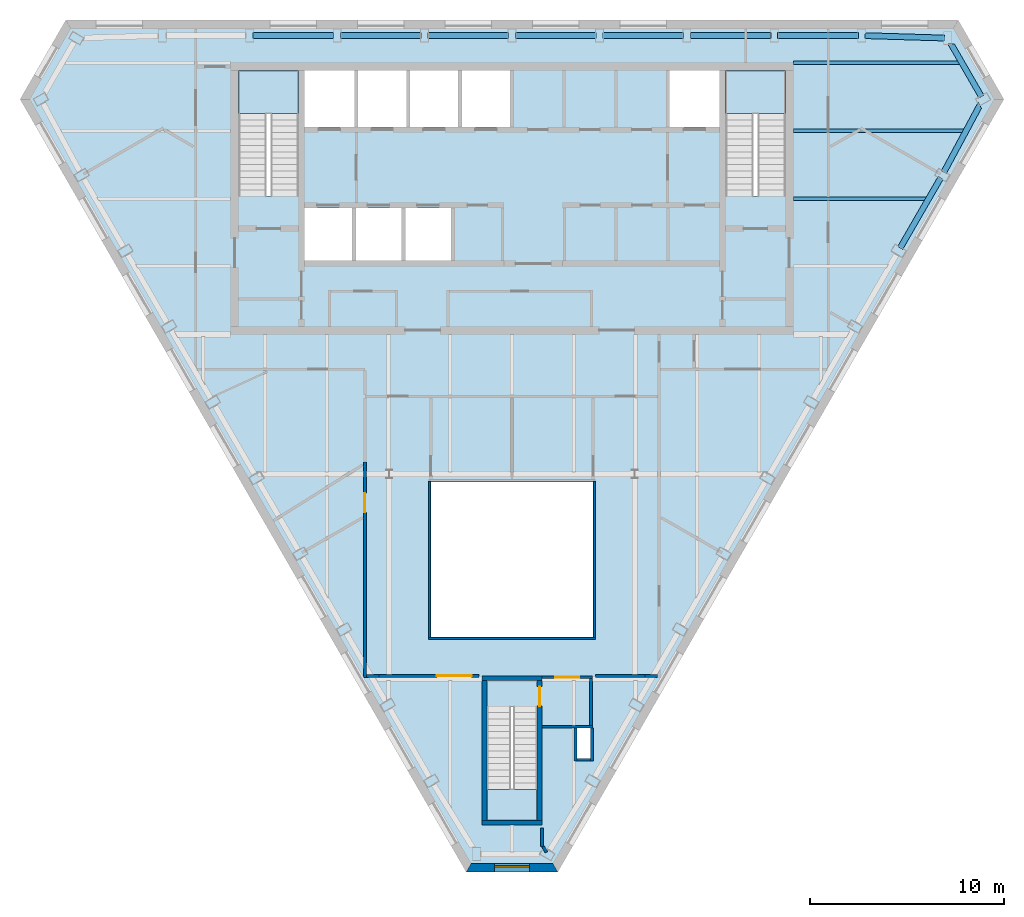
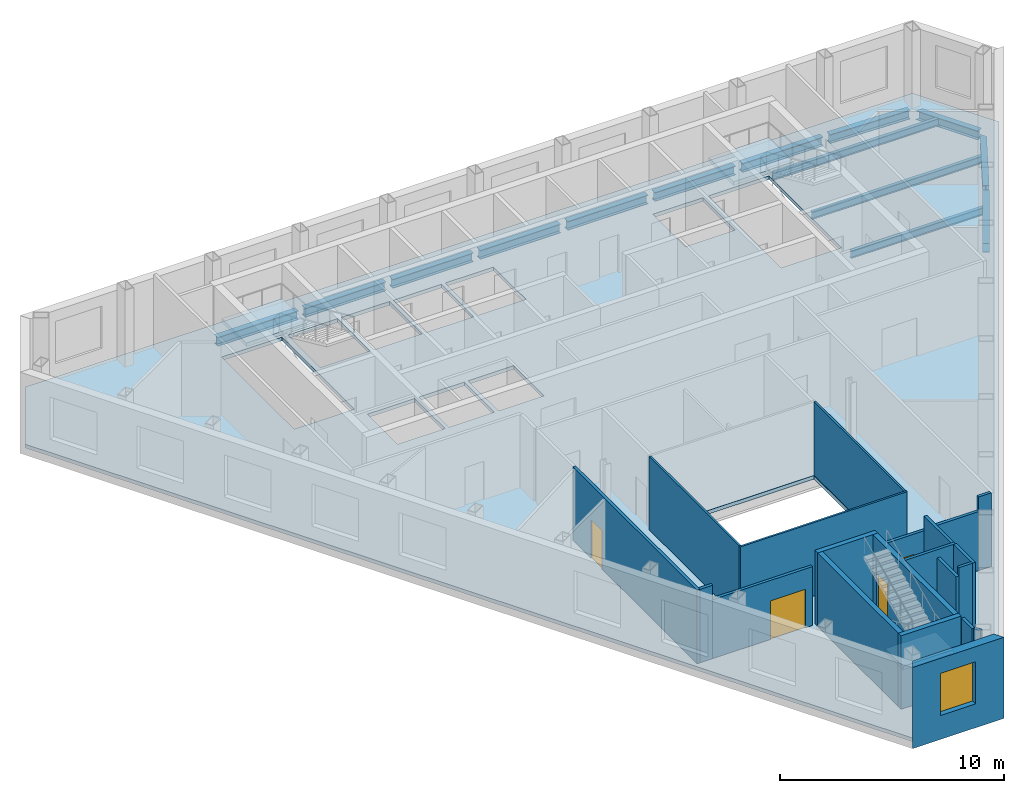
# One storey, part 3 of 10: 21 walls, 14 beams, 4 doors, 4 slabs, 1 window, 5 openings, 3 elements without a shape of their own.
"""IFC4 building model written with IfcOpenShell, lengths in metres."""

from ifc_helpers import new_model, si_unit, direction, frame, frame_2d, origin, origin_2d, place, context, subcontext, project, spatial, polyline, rectangle, i_section, outline, extrude, clip, halfspace, material, layer, layer_set, material_profile, profile_set, type_object, element, fill, aggregate, save


model = new_model("IFC4")

# Units and contexts
model_context = context("Model", 3, precision=1e-05, world=origin(), true_north=direction((0.0, 1.0)))
body_context = subcontext(model_context, "Body", "Model", "MODEL_VIEW")
ifc_project = project(units=[si_unit("LENGTHUNIT", "METRE"), si_unit("AREAUNIT", "SQUARE_METRE"), si_unit("VOLUMEUNIT", "CUBIC_METRE"), si_unit("PLANEANGLEUNIT", "RADIAN"), si_unit("MASSUNIT", "GRAM", prefix="KILO")], contexts=[model_context])

# Site, building, storey
site_placement = place(None, origin())
site = spatial("IfcSite", under=ifc_project, at=site_placement, CompositionType="ELEMENT")
building_placement = place(site_placement, origin())
building = spatial("IfcBuilding", under=site, at=building_placement, Name="Njiva Tower", CompositionType="ELEMENT")
storey_placement = place(building_placement, frame((0.0, 0.0, 308.4)))
storey = spatial("IfcBuildingStorey", under=building, at=storey_placement, Name="L70", CompositionType="ELEMENT", Elevation=308.4)

# Beams
ifc_material_1 = material(Name="Steel S355 J2", Category="steel")
ifc_material_profile_1 = material_profile(ifc_material_1, i_section(OverallWidth=0.3, OverallDepth=0.49, WebThickness=0.012, FlangeThickness=0.023, at=origin_2d()), Name="HEA 500")
ifc_profile_set_1 = profile_set([ifc_material_profile_1], Name="Steel S355 J2")
beam_type_1 = type_object("IfcBeamType", Name="B48 Short-span spandrel beam HEA 500", PredefinedType="SPANDREL", material=ifc_profile_set_1)
beam_1_placement = place(storey_placement, frame((22.277, 19.272, -0.445), z_axis=(-0.999544102072, 0.030192515853, 0.0), x_axis=(-0.030192515853, -0.999544102072, 0.0)))
element("IfcBeam", 1, at=beam_1_placement, inside=storey, type_object=beam_type_1, Name="Short-span spandrel beam S23-B115", PredefinedType="SPANDREL", context=body_context, shape_type="SweptSolid", body=[
    extrude(i_section(OverallWidth=0.3, OverallDepth=0.49, WebThickness=0.012, FlangeThickness=0.023, at=origin_2d()), origin(), (0.0, 0.0, 1.0), 4.0739),
])
beam_2_placement = place(storey_placement, frame((17.851, 19.4, -0.445), z_axis=(-1.0, 0.0, 0.0), x_axis=(0.0, -1.0, 0.0)))
element("IfcBeam", 2, at=beam_2_placement, inside=storey, type_object=beam_type_1, Name="Short-span spandrel beam S23-B109", PredefinedType="SPANDREL", context=body_context, shape_type="SweptSolid", body=[
    extrude(i_section(OverallWidth=0.3, OverallDepth=0.49, WebThickness=0.012, FlangeThickness=0.023, at=origin_2d()), origin(), (0.0, 0.0, 1.0), 4.156),
])
beam_3_placement = place(storey_placement, frame((13.345, 19.4, -0.445), z_axis=(-1.0, 0.0, 0.0), x_axis=(0.0, -1.0, 0.0)))
element("IfcBeam", 3, at=beam_3_placement, inside=storey, type_object=beam_type_1, Name="Short-span spandrel beam S23-B104", PredefinedType="SPANDREL", context=body_context, shape_type="SweptSolid", body=[
    extrude(i_section(OverallWidth=0.3, OverallDepth=0.49, WebThickness=0.012, FlangeThickness=0.023, at=origin_2d()), origin(), (0.0, 0.0, 1.0), 4.157),
])
beam_4_placement = place(storey_placement, frame((8.838, 19.4, -0.445), z_axis=(-1.0, 0.0, 0.0), x_axis=(0.0, -1.0, 0.0)))
element("IfcBeam", 4, at=beam_4_placement, inside=storey, type_object=beam_type_1, Name="Short-span spandrel beam S23-B099", PredefinedType="SPANDREL", context=body_context, shape_type="SweptSolid", body=[
    extrude(i_section(OverallWidth=0.3, OverallDepth=0.49, WebThickness=0.012, FlangeThickness=0.023, at=origin_2d()), origin(), (0.0, 0.0, 1.0), 4.156),
])
for number, where, z_axis, x_axis, name in (
    (5, (4.332, 19.4, -0.445), (-1.0, 0.0, 0.0), (0.0, -1.0, 0.0), "Short-span spandrel beam S23-B094"),
    (6, (-0.175, 19.4, -0.445), (-1.0, 0.0, 0.0), (0.0, -1.0, 0.0), "Short-span spandrel beam S23-B089"),
):
    element("IfcBeam", number, at=place(storey_placement, frame(where, z_axis=z_axis, x_axis=x_axis)), inside=storey, type_object=beam_type_1, Name=name, PredefinedType="SPANDREL", context=body_context, shape_type="SweptSolid", body=[
        extrude(i_section(OverallWidth=0.3, OverallDepth=0.49, WebThickness=0.012, FlangeThickness=0.023, at=origin_2d()), origin(), (0.0, 0.0, 1.0), 4.157),
    ])
beam_5_placement = place(storey_placement, frame((-4.682, 19.4, -0.445), z_axis=(-1.0, 0.0, 0.0), x_axis=(0.0, -1.0, 0.0)))
element("IfcBeam", 7, at=beam_5_placement, inside=storey, type_object=beam_type_1, Name="Short-span spandrel beam S23-B084", PredefinedType="SPANDREL", context=body_context, shape_type="SweptSolid", body=[
    extrude(i_section(OverallWidth=0.3, OverallDepth=0.49, WebThickness=0.012, FlangeThickness=0.023, at=origin_2d()), origin(), (0.0, 0.0, 1.0), 4.156),
])
beam_6_placement = place(storey_placement, frame((-9.188, 19.4, -0.445), z_axis=(-1.0, 0.0, 0.0), x_axis=(0.0, -1.0, 0.0)))
element("IfcBeam", 8, at=beam_6_placement, inside=storey, type_object=beam_type_1, Name="Short-span spandrel beam S23-B079", PredefinedType="SPANDREL", context=body_context, shape_type="SweptSolid", body=[
    extrude(i_section(OverallWidth=0.3, OverallDepth=0.49, WebThickness=0.012, FlangeThickness=0.023, at=origin_2d()), origin(), (0.0, 0.0, 1.0), 4.157),
])
beam_7_placement = place(storey_placement, frame((20.012, 8.459, -0.445), z_axis=(0.500201435056, 0.865909073961, 0.0), x_axis=(-0.865909073961, 0.500201435056, 0.0)))
element("IfcBeam", 9, at=beam_7_placement, inside=storey, type_object=beam_type_1, Name="Short-span spandrel beam S23-B118", PredefinedType="SPANDREL", context=body_context, shape_type="SweptSolid", body=[
    extrude(i_section(OverallWidth=0.3, OverallDepth=0.49, WebThickness=0.012, FlangeThickness=0.023, at=origin_2d()), origin(), (0.0, 0.0, 1.0), 4.1563),
])
beam_8_placement = place(storey_placement, frame((22.263, 12.367, -0.445), z_axis=(0.473778736284, 0.880643917282, 0.0), x_axis=(-0.880643917282, 0.473778736284, 0.0)))
element("IfcBeam", 10, at=beam_8_placement, inside=storey, type_object=beam_type_1, Name="Short-span spandrel beam S23-B120", PredefinedType="SPANDREL", context=body_context, shape_type="Clipping", body=[
    clip(extrude(i_section(OverallWidth=0.3, OverallDepth=0.49, WebThickness=0.012, FlangeThickness=0.023, at=origin_2d()), origin(), (0.0, 0.0, 1.0), 4.0136), halfspace(frame((-0.0259, 0.0, 3.8841), z_axis=(-0.525772590734, 0.0, 0.850625171761), x_axis=(0.0, 1.0, 0.0)), False)),
])
beam_9_placement = place(storey_placement, frame((24.19, 16.263, -0.445), z_axis=(-0.499962735845, 0.866046917185, 0.0), x_axis=(-0.866046917185, -0.499962735845, 0.0)))
element("IfcBeam", 11, at=beam_9_placement, inside=storey, type_object=beam_type_1, Name="Short-span spandrel beam S23-B121", PredefinedType="SPANDREL", context=body_context, shape_type="Clipping", body=[
    clip(extrude(i_section(OverallWidth=0.3, OverallDepth=0.49, WebThickness=0.012, FlangeThickness=0.023, at=origin_2d()), origin(), (0.0, 0.0, 1.0), 3.2292), halfspace(frame((-0.0254, 0.0, 3.1076), z_axis=(-0.499962735845, 0.0, 0.866046917185), x_axis=(0.0, 1.0, 0.0)), False)),
])
ifc_material_profile_2 = material_profile(ifc_material_1, i_section(OverallWidth=0.18, OverallDepth=0.4, WebThickness=0.0086, FlangeThickness=0.0135, at=origin_2d()), Name="IPE 400")
ifc_profile_set_2 = profile_set([ifc_material_profile_2], Name="Steel S355 J2")
beam_type_2 = type_object("IfcBeamType", Name="B51 Floor beam to the core IPE 400", PredefinedType="BEAM", material=ifc_profile_set_2)
beam_10_placement = place(storey_placement, frame((14.5, 11.0, -0.4), z_axis=(1.0, 0.0, 0.0), x_axis=(0.0, 1.0, 0.0)))
element("IfcBeam", 12, at=beam_10_placement, inside=storey, type_object=beam_type_2, Name="Floor beam to the core S23-B006", PredefinedType="BEAM", context=body_context, shape_type="Clipping", body=[
    clip(extrude(i_section(OverallWidth=0.18, OverallDepth=0.4, WebThickness=0.0086, FlangeThickness=0.0135, at=origin_2d()), origin(), (0.0, 0.0, 1.0), 6.936), halfspace(frame((-0.025, 0.0, 6.8497), z_axis=(-0.499998009787, 0.0, 0.866026552831), x_axis=(0.0, 1.0, 0.0)), False)),
])
beam_11_placement = place(storey_placement, frame((14.5, 14.5, -0.4), z_axis=(1.0, 0.0, 0.0), x_axis=(0.0, 1.0, 0.0)))
element("IfcBeam", 13, at=beam_11_placement, inside=storey, type_object=beam_type_2, Name="Floor beam to the core S23-B007", PredefinedType="BEAM", context=body_context, shape_type="Clipping", body=[
    clip(extrude(i_section(OverallWidth=0.18, OverallDepth=0.4, WebThickness=0.0086, FlangeThickness=0.0135, at=origin_2d()), origin(), (0.0, 0.0, 1.0), 8.865), halfspace(frame((-0.0237, 0.0, 8.7838), z_axis=(-0.47376166762, 0.0, 0.88065309986), x_axis=(0.0, 1.0, 0.0)), False)),
])
beam_12_placement = place(storey_placement, frame((14.5, 18.0, -0.4), z_axis=(1.0, 0.0, 0.0), x_axis=(0.0, 1.0, 0.0)))
element("IfcBeam", 14, at=beam_12_placement, inside=storey, type_object=beam_type_2, Name="Floor beam to the core S23-B008", PredefinedType="BEAM", context=body_context, shape_type="Clipping", body=[
    clip(extrude(i_section(OverallWidth=0.18, OverallDepth=0.4, WebThickness=0.0086, FlangeThickness=0.0135, at=origin_2d()), origin(), (0.0, 0.0, 1.0), 8.644), halfspace(frame((0.025, 0.0, 8.5578), z_axis=(0.499998009787, 0.0, 0.866026552831), x_axis=(0.0, 1.0, 0.0)), False)),
])

# Stair, slab
ifc_material_2 = material(Name="Concrete C40/50", Category="concrete")
stair_type_1 = type_object("IfcStairType", Name="ST3 Exit stair 1450", PredefinedType="HALF_TURN_STAIR", material=ifc_material_2)
stair_1_placement = place(storey_placement, origin())
stair_1 = element("IfcStair", 15, at=stair_1_placement, inside=storey, type_object=stair_type_1, Name="Stair A", PredefinedType="HALF_TURN_STAIR")
ifc_layer_1 = layer(ifc_material_2, 0.2)
ifc_layer_set_1 = layer_set([ifc_layer_1], Name="Concrete C40/50")
slab_type_1 = type_object("IfcSlabType", Name="FL9 Stair landing 200", PredefinedType="LANDING", material=ifc_layer_set_1)
slab_1_placement = place(storey_placement, frame((0.0, 0.0, 1.9)))
slab_1 = element("IfcSlab", 16, at=slab_1_placement, type_object=slab_type_1, Name="ST-A landing 1", PredefinedType="LANDING", context=body_context, shape_type="SweptSolid", body=[
    extrude(outline(polyline([(-14.106, 15.39), (-10.994, 15.39), (-10.994, 17.6), (-14.106, 17.6), (-14.106, 15.39)])), origin(), (0.0, 0.0, 1.0), 0.2),
])
aggregate(stair_1, [slab_1])

stair_2_placement = place(storey_placement, origin())
stair_2 = element("IfcStair", 17, at=stair_2_placement, inside=storey, type_object=stair_type_1, Name="Stair B", PredefinedType="HALF_TURN_STAIR")
slab_2_placement = place(storey_placement, frame((0.0, 0.0, 1.9)))
slab_2 = element("IfcSlab", 18, at=slab_2_placement, type_object=slab_type_1, Name="ST-B landing 1", PredefinedType="LANDING", context=body_context, shape_type="SweptSolid", body=[
    extrude(outline(polyline([(10.994, 15.39), (14.106, 15.39), (14.106, 17.6), (10.994, 17.6), (10.994, 15.39)])), origin(), (0.0, 0.0, 1.0), 0.2),
])
aggregate(stair_2, [slab_2])

stair_type_2 = type_object("IfcStairType", Name="ST1 Exit stair 1250", PredefinedType="HALF_TURN_STAIR", material=ifc_material_2)
stair_3_placement = place(storey_placement, origin())
stair_3 = element("IfcStair", 19, at=stair_3_placement, inside=storey, type_object=stair_type_2, Name="Stair C", PredefinedType="HALF_TURN_STAIR")
slab_3_placement = place(storey_placement, frame((0.0, 0.0, 1.9)))
slab_3 = element("IfcSlab", 20, at=slab_3_placement, type_object=slab_type_1, Name="ST-C landing 1", PredefinedType="LANDING", context=body_context, shape_type="SweptSolid", body=[
    extrude(outline(polyline([(-1.306, -21.05), (1.306, -21.05), (1.306, -19.45), (-1.306, -19.45), (-1.306, -21.05)])), origin(), (0.0, 0.0, 1.0), 0.2),
])
aggregate(stair_3, [slab_3])

# Slab
ifc_material_3 = material(Name="Concrete C30/37", Category="concrete")
ifc_layer_2 = layer(ifc_material_3, 0.2)
ifc_layer_set_2 = layer_set([ifc_layer_2], Name="Concrete C30/37")
slab_type_2 = type_object("IfcSlabType", Name="SL16 Composite floor slab 200", PredefinedType="FLOOR", material=ifc_layer_set_2)
slab_4_placement = place(storey_placement, frame((0.0, 0.0, -0.2)))
element("IfcSlab", 21, at=slab_4_placement, inside=storey, type_object=slab_type_2, Name="Floor slab L70", PredefinedType="FLOOR", context=body_context, shape_type="SweptSolid", body=[
    extrude(outline(polyline([(25.0952, 16.1124), (2.2301, -23.4911), (-2.2301, -23.4911), (-25.0952, 16.1124), (-22.8651, 19.975), (22.8651, 19.975), (25.0952, 16.1124)]), holes=[polyline([(10.994, 11.13), (14.106, 11.13), (14.106, 17.6), (10.994, 17.6), (10.994, 11.13)]), polyline([(8.125, 14.7), (10.7, 14.7), (10.7, 17.6), (8.125, 17.6), (8.125, 14.7)]), polyline([(4.18, -11.6), (4.18, -3.6), (-4.18, -3.6), (-4.18, -11.6), (4.18, -11.6)]), polyline([(3.35, -17.85), (4.05, -17.85), (4.05, -16.3), (3.35, -16.3), (3.35, -17.85)]), polyline([(-1.306, -21.05), (1.306, -21.05), (1.306, -15.19), (-1.306, -15.19), (-1.306, -21.05)]), polyline([(-2.575, 14.7), (-0.1, 14.7), (-0.1, 17.6), (-2.575, 17.6), (-2.575, 14.7)]), polyline([(-2.775, 14.7), (-2.775, 17.6), (-5.25, 17.6), (-5.25, 14.7), (-2.775, 14.7)]), polyline([(-5.5, 7.8), (-3.15, 7.8), (-3.15, 10.5), (-5.5, 10.5), (-5.5, 7.8)]), polyline([(-7.925, 14.7), (-5.45, 14.7), (-5.45, 17.6), (-7.925, 17.6), (-7.925, 14.7)]), polyline([(-8.05, 7.8), (-5.7, 7.8), (-5.7, 10.5), (-8.05, 10.5), (-8.05, 7.8)]), polyline([(-10.7, 14.7), (-8.125, 14.7), (-8.125, 17.6), (-10.7, 17.6), (-10.7, 14.7)]), polyline([(-8.25, 7.8), (-8.25, 10.5), (-10.7, 10.5), (-10.7, 7.8), (-8.25, 7.8)]), polyline([(-10.994, 11.13), (-10.994, 17.6), (-14.106, 17.6), (-14.106, 11.13), (-10.994, 11.13)])]), origin(), (0.0, 0.0, 1.0), 0.2),
])

# Wall, opening, door
ifc_material_4 = material(Name="Gypsum board on steel studs", Category="gypsum")
ifc_layer_3 = layer(ifc_material_4, 0.15)
ifc_layer_set_3 = layer_set([ifc_layer_3], Name="Gypsum board on steel studs")
wall_type_1 = type_object("IfcWallType", Name="WT21 Compartment wall 150", PredefinedType="PARTITIONING", material=ifc_layer_set_3)
wall_1_placement = place(storey_placement, frame((-7.58, -13.675, 0.0), z_axis=(0.0, 0.0, 1.0), x_axis=(0.0, 1.0, 0.0)))
wall_1 = element("IfcWall", 22, at=wall_1_placement, inside=storey, type_object=wall_type_1, Name="Partition S23-P009", PredefinedType="PARTITIONING", context=body_context, shape_type="SweptSolid", body=[
    extrude(rectangle(XDim=11.093, YDim=0.15, at=frame_2d((5.5465, 0.0))), origin(), (0.0, 0.0, 1.0), 4.0),
])
opening_1_placement = place(wall_1_placement, frame((8.493, 0.0, 0.0)))
opening_1 = element("IfcOpeningElement", 23, at=opening_1_placement, cuts=wall_1, Name="Opening S23-D005", PredefinedType="OPENING", context=body_context, shape_type="SweptSolid", body=[
    extrude(rectangle(XDim=1.0, YDim=2.1, at=frame_2d((0.5, 1.05))), frame((0.0, 0.085, 0.0), z_axis=(0.0, -1.0, 0.0), x_axis=(1.0, 0.0, 0.0)), (0.0, 0.0, 1.0), 0.17),
])
ifc_material_5 = material(Name="Steel fire door set", Category="steel")
door_type_1 = type_object("IfcDoorType", Name="D37 Fire door 1000x2100", OperationType="SINGLE_SWING_LEFT", PredefinedType="DOOR", material=ifc_material_5)
door_1_placement = place(opening_1_placement, origin())
door_1 = element("IfcDoor", 24, at=door_1_placement, inside=storey, type_object=door_type_1, Name="Door S23-D005", OperationType="SINGLE_SWING_LEFT", OverallHeight=2.1, OverallWidth=1.0, PredefinedType="DOOR", context=body_context, shape_type="SweptSolid", body=[
    extrude(rectangle(XDim=1.0, YDim=2.1, at=frame_2d((0.5, 1.05))), frame((0.0, 0.025, 0.0), z_axis=(0.0, -1.0, 0.0), x_axis=(1.0, 0.0, 0.0)), (0.0, 0.0, 1.0), 0.05),
])
fill(opening_1, door_1)

# Wall
wall_2_placement = place(storey_placement, frame((-7.505, -13.6, 0.0), z_axis=(0.0, 0.0, 1.0), x_axis=(1.0, 0.0, 0.0)))
element("IfcWall", 25, at=wall_2_placement, inside=storey, type_object=wall_type_1, Name="Partition S23-P013", PredefinedType="PARTITIONING", context=body_context, shape_type="SweptSolid", body=[
    extrude(rectangle(XDim=0.65, YDim=0.15, at=frame_2d((0.325, 0.0))), origin(), (0.0, 0.0, 1.0), 4.0),
])

# Wall, opening, door
wall_3_placement = place(storey_placement, frame((-6.855, -13.6, 0.0), z_axis=(0.0, 0.0, 1.0), x_axis=(1.0, 0.0, 0.0)))
wall_3 = element("IfcWall", 26, at=wall_3_placement, inside=storey, type_object=wall_type_1, Name="Partition S23-P013A", PredefinedType="PARTITIONING", context=body_context, shape_type="SweptSolid", body=[
    extrude(rectangle(XDim=5.155, YDim=0.15, at=frame_2d((2.5775, 0.0))), origin(), (0.0, 0.0, 1.0), 3.21),
])
opening_2_placement = place(wall_3_placement, frame((2.98, 0.0, 0.0)))
opening_2 = element("IfcOpeningElement", 27, at=opening_2_placement, cuts=wall_3, Name="Opening S23-D008", PredefinedType="OPENING", context=body_context, shape_type="SweptSolid", body=[
    extrude(rectangle(XDim=1.8, YDim=2.1, at=frame_2d((0.9, 1.05))), frame((0.0, 0.085, 0.0), z_axis=(0.0, -1.0, 0.0), x_axis=(1.0, 0.0, 0.0)), (0.0, 0.0, 1.0), 0.17),
])
door_type_2 = type_object("IfcDoorType", Name="D38 Fire door 1800x2100", OperationType="DOUBLE_DOOR_SINGLE_SWING", PredefinedType="DOOR", material=ifc_material_5)
door_2_placement = place(opening_2_placement, origin())
door_2 = element("IfcDoor", 28, at=door_2_placement, inside=storey, type_object=door_type_2, Name="Door S23-D008", OperationType="DOUBLE_DOOR_SINGLE_SWING", OverallHeight=2.1, OverallWidth=1.8, PredefinedType="DOOR", context=body_context, shape_type="SweptSolid", body=[
    extrude(rectangle(XDim=1.8, YDim=2.1, at=frame_2d((0.9, 1.05))), frame((0.0, 0.025, 0.0), z_axis=(0.0, -1.0, 0.0), x_axis=(1.0, 0.0, 0.0)), (0.0, 0.0, 1.0), 0.05),
])
fill(opening_2, door_2)

# Walls
wall_4_placement = place(storey_placement, frame((1.55, -22.388, 0.0), z_axis=(0.0, 0.0, 1.0), x_axis=(0.0, 1.0, 0.0)))
element("IfcWall", 29, at=wall_4_placement, inside=storey, type_object=wall_type_1, Name="Partition S23-P016", PredefinedType="PARTITIONING", context=body_context, shape_type="SweptSolid", body=[
    extrude(rectangle(XDim=0.938, YDim=0.15, at=frame_2d((0.469, 0.0))), origin(), (0.0, 0.0, 1.0), 4.0),
])
wall_5_placement = place(storey_placement, frame((1.601, -22.402, 0.0), z_axis=(0.0, 0.0, 1.0), x_axis=(0.499298623879, -0.866429964967, 0.0)))
element("IfcWall", 30, at=wall_5_placement, inside=storey, type_object=wall_type_1, Name="Partition S23-P017", PredefinedType="PARTITIONING", context=body_context, shape_type="SweptSolid", body=[
    extrude(rectangle(XDim=0.3405, YDim=0.15, at=frame_2d((0.1703, 0.0))), origin(), (0.0, 0.0, 1.0), 4.0),
])
wall_6_placement = place(storey_placement, frame((4.3, -13.6, 0.0), z_axis=(0.0, 0.0, 1.0), x_axis=(1.0, 0.0, 0.0)))
element("IfcWall", 31, at=wall_6_placement, inside=storey, type_object=wall_type_1, Name="Partition S23-P019", PredefinedType="PARTITIONING", context=body_context, shape_type="SweptSolid", body=[
    extrude(rectangle(XDim=2.555, YDim=0.15, at=frame_2d((1.2775, 0.0))), origin(), (0.0, 0.0, 1.0), 3.21),
])
wall_7_placement = place(storey_placement, frame((6.855, -13.6, 0.0), z_axis=(0.0, 0.0, 1.0), x_axis=(1.0, 0.0, 0.0)))
element("IfcWall", 32, at=wall_7_placement, inside=storey, type_object=wall_type_1, Name="Partition S23-P019A", PredefinedType="PARTITIONING", context=body_context, shape_type="SweptSolid", body=[
    extrude(rectangle(XDim=0.65, YDim=0.15, at=frame_2d((0.325, 0.0))), origin(), (0.0, 0.0, 1.0), 4.0),
])
ifc_material_6 = material(Name="Blockwork", Category="masonry")
ifc_layer_4 = layer(ifc_material_6, 0.15)
ifc_layer_set_4 = layer_set([ifc_layer_4], Name="Blockwork")
wall_type_2 = type_object("IfcWallType", Name="WT4 Stair partition 150", PredefinedType="PARTITIONING", material=ifc_layer_set_4)
wall_8_placement = place(storey_placement, frame((1.55, -16.225, 0.0), z_axis=(0.0, 0.0, 1.0), x_axis=(1.0, 0.0, 0.0)))
element("IfcWall", 33, at=wall_8_placement, inside=storey, type_object=wall_type_2, Name="Stair C vestibule wall south", PredefinedType="PARTITIONING", context=body_context, shape_type="SweptSolid", body=[
    extrude(rectangle(XDim=2.6, YDim=0.15, at=frame_2d((1.3, 0.0))), origin(), (0.0, 0.0, 1.0), 4.0),
])
wall_9_placement = place(storey_placement, frame((4.075, -16.15, 0.0), z_axis=(0.0, 0.0, 1.0), x_axis=(0.0, 1.0, 0.0)))
element("IfcWall", 34, at=wall_9_placement, inside=storey, type_object=wall_type_2, Name="Stair C vestibule wall east", PredefinedType="PARTITIONING", context=body_context, shape_type="SweptSolid", body=[
    extrude(rectangle(XDim=2.4, YDim=0.15, at=frame_2d((1.2, 0.0))), origin(), (0.0, 0.0, 1.0), 4.0),
])

# Wall, opening, door
wall_10_placement = place(storey_placement, frame((1.55, -13.675, 0.0), z_axis=(0.0, 0.0, 1.0), x_axis=(1.0, 0.0, 0.0)))
wall_10 = element("IfcWall", 35, at=wall_10_placement, inside=storey, type_object=wall_type_2, Name="Stair C vestibule wall north", PredefinedType="PARTITIONING", context=body_context, shape_type="SweptSolid", body=[
    extrude(rectangle(XDim=2.6, YDim=0.15, at=frame_2d((1.3, 0.0))), origin(), (0.0, 0.0, 1.0), 3.21),
])
opening_3_placement = place(wall_10_placement, frame((0.675, 0.0, 0.0)))
opening_3 = element("IfcOpeningElement", 36, at=opening_3_placement, cuts=wall_10, Name="Opening S23-D932", PredefinedType="OPENING", context=body_context, shape_type="SweptSolid", body=[
    extrude(rectangle(XDim=1.25, YDim=2.1, at=frame_2d((0.625, 1.05))), frame((0.0, 0.085, 0.0), z_axis=(0.0, -1.0, 0.0), x_axis=(1.0, 0.0, 0.0)), (0.0, 0.0, 1.0), 0.17),
])
ifc_material_7 = material(Name="Glazed steel fire door", Category="steel")
door_type_3 = type_object("IfcDoorType", Name="D8 Vestibule corridor door 1250x2100 glazed", OperationType="SINGLE_SWING_LEFT", PredefinedType="DOOR", material=ifc_material_7)
door_3_placement = place(opening_3_placement, origin())
door_3 = element("IfcDoor", 37, at=door_3_placement, inside=storey, type_object=door_type_3, Name="Stair vestibule corridor door", OperationType="SINGLE_SWING_RIGHT", OverallHeight=2.1, OverallWidth=1.25, PredefinedType="DOOR", context=body_context, shape_type="SweptSolid", body=[
    extrude(rectangle(XDim=1.25, YDim=2.1, at=frame_2d((0.625, 1.05))), frame((0.0, 0.025, 0.0), z_axis=(0.0, -1.0, 0.0), x_axis=(1.0, 0.0, 0.0)), (0.0, 0.0, 1.0), 0.05),
])
fill(opening_3, door_3)

# Walls
wall_11_placement = place(storey_placement, frame((3.275, -18.0, 0.0), z_axis=(0.0, 0.0, 1.0), x_axis=(0.0, 1.0, 0.0)))
element("IfcWall", 38, at=wall_11_placement, inside=storey, type_object=wall_type_2, Name="Stair C pressurisation shaft wall", PredefinedType="PARTITIONING", context=body_context, shape_type="SweptSolid", body=[
    extrude(rectangle(XDim=1.7, YDim=0.15, at=frame_2d((0.85, 0.0))), origin(), (0.0, 0.0, 1.0), 3.55),
])
wall_12_placement = place(storey_placement, frame((3.35, -17.925, 0.0), z_axis=(0.0, 0.0, 1.0), x_axis=(1.0, 0.0, 0.0)))
element("IfcWall", 39, at=wall_12_placement, inside=storey, type_object=wall_type_2, Name="Stair C pressurisation shaft wall", PredefinedType="PARTITIONING", context=body_context, shape_type="SweptSolid", body=[
    extrude(rectangle(XDim=0.7, YDim=0.15, at=frame_2d((0.35, 0.0))), origin(), (0.0, 0.0, 1.0), 4.0),
])
wall_13_placement = place(storey_placement, frame((4.125, -18.0, 0.0), z_axis=(0.0, 0.0, 1.0), x_axis=(0.0, 1.0, 0.0)))
element("IfcWall", 40, at=wall_13_placement, inside=storey, type_object=wall_type_2, Name="Stair C pressurisation shaft wall", PredefinedType="PARTITIONING", context=body_context, shape_type="SweptSolid", body=[
    extrude(rectangle(XDim=1.7, YDim=0.15, at=frame_2d((0.85, 0.0))), origin(), (0.0, 0.0, 1.0), 4.0),
])
ifc_layer_5 = layer(ifc_material_2, 0.25)
ifc_layer_set_5 = layer_set([ifc_layer_5], Name="Concrete C40/50")
wall_type_3 = type_object("IfcWallType", Name="WT9 Stair enclosure wall 250", PredefinedType="SHEAR", material=ifc_layer_set_5)
wall_14_placement = place(storey_placement, frame((-1.425, -21.05, 0.0), z_axis=(0.0, 0.0, 1.0), x_axis=(0.0, 1.0, 0.0)))
element("IfcWall", 41, at=wall_14_placement, inside=storey, type_object=wall_type_3, Name="Stair C wall west", PredefinedType="SHEAR", context=body_context, shape_type="SweptSolid", body=[
    extrude(rectangle(XDim=7.2, YDim=0.25, at=frame_2d((3.6, 0.0))), origin(), (0.0, 0.0, 1.0), 4.0),
])

# Wall, opening, door
wall_15_placement = place(storey_placement, frame((1.425, -21.05, 0.0), z_axis=(0.0, 0.0, 1.0), x_axis=(0.0, 1.0, 0.0)))
wall_15 = element("IfcWall", 42, at=wall_15_placement, inside=storey, type_object=wall_type_3, Name="Stair C wall east", PredefinedType="SHEAR", context=body_context, shape_type="SweptSolid", body=[
    extrude(rectangle(XDim=7.2, YDim=0.25, at=frame_2d((3.6, 0.0))), origin(), (0.0, 0.0, 1.0), 4.0),
])
opening_4_placement = place(wall_15_placement, frame((5.89, 0.0, 0.0)))
opening_4 = element("IfcOpeningElement", 43, at=opening_4_placement, cuts=wall_15, Name="Opening S23-D931", PredefinedType="OPENING", context=body_context, shape_type="SweptSolid", body=[
    extrude(rectangle(XDim=1.0, YDim=2.1, at=frame_2d((0.5, 1.05))), frame((0.0, 0.135, 0.0), z_axis=(0.0, -1.0, 0.0), x_axis=(1.0, 0.0, 0.0)), (0.0, 0.0, 1.0), 0.27),
])
door_type_4 = type_object("IfcDoorType", Name="D9 Stair vestibule door 1000x2100 glazed", OperationType="SINGLE_SWING_LEFT", PredefinedType="DOOR", material=ifc_material_7)
door_4_placement = place(opening_4_placement, origin())
door_4 = element("IfcDoor", 44, at=door_4_placement, inside=storey, type_object=door_type_4, Name="Stair C door", OperationType="SINGLE_SWING_LEFT", OverallHeight=2.1, OverallWidth=1.0, PredefinedType="DOOR", context=body_context, shape_type="SweptSolid", body=[
    extrude(rectangle(XDim=1.0, YDim=2.1, at=frame_2d((0.5, 1.05))), frame((0.0, 0.025, 0.0), z_axis=(0.0, -1.0, 0.0), x_axis=(1.0, 0.0, 0.0)), (0.0, 0.0, 1.0), 0.05),
])
fill(opening_4, door_4)

# Walls
for number, where, z_axis, x_axis, name in (
    (45, (-1.55, -21.175, 0.0), (0.0, 0.0, 1.0), (1.0, 0.0, 0.0), "Stair C wall south"),
    (46, (-1.55, -13.725, 0.0), (0.0, 0.0, 1.0), (1.0, 0.0, 0.0), "Stair C wall north"),
):
    element("IfcWall", number, at=place(storey_placement, frame(where, z_axis=z_axis, x_axis=x_axis)), inside=storey, type_object=wall_type_3, Name=name, PredefinedType="SHEAR", context=body_context, shape_type="SweptSolid", body=[
        extrude(rectangle(XDim=3.1, YDim=0.25, at=frame_2d((1.55, 0.0))), origin(), (0.0, 0.0, 1.0), 4.0),
    ])

# Wall, opening, window
ifc_material_8 = material(Name="Brick masonry, buff", Category="masonry")
ifc_layer_6 = layer(ifc_material_8, 0.45)
ifc_layer_set_6 = layer_set([ifc_layer_6], Name="Brick masonry, buff")
wall_type_4 = type_object("IfcWallType", Name="WT94 Brick pier and spandrel wall 450, buff", PredefinedType="SOLIDWALL", material=ifc_layer_set_6)
wall_16_placement = place(storey_placement, frame((-2.2301, -23.4911, -0.4), z_axis=(0.0, 0.0, 1.0), x_axis=(1.0, 0.0, 0.0)))
wall_16 = element("IfcWall", 47, at=wall_16_placement, inside=storey, type_object=wall_type_4, Name="Facade wall S", PredefinedType="SOLIDWALL", context=body_context, shape_type="SweptSolid", body=[
    extrude(outline(polyline([(-0.1299, -0.225), (4.5901, -0.225), (4.3303, 0.225), (0.1299, 0.225), (-0.1299, -0.225)])), origin(), (0.0, 0.0, 1.0), 4.42),
])
opening_5_placement = place(wall_16_placement, frame((1.3301, 0.0, 1.3)))
opening_5 = element("IfcOpeningElement", 48, at=opening_5_placement, cuts=wall_16, Name="Opening S23-W18", PredefinedType="OPENING", context=body_context, shape_type="SweptSolid", body=[
    extrude(rectangle(XDim=1.8, YDim=2.3, at=frame_2d((0.9, 1.15))), frame((0.0, 0.235, 0.0), z_axis=(0.0, -1.0, 0.0), x_axis=(1.0, 0.0, 0.0)), (0.0, 0.0, 1.0), 0.47),
])
ifc_material_9 = material(Name="Clear glazing in aluminium frame", Category="aluminium")
window_type = type_object("IfcWindowType", Name="W95 Deep-set window 1800x2300", PartitioningType="SINGLE_PANEL", PredefinedType="WINDOW", material=ifc_material_9)
window_placement = place(opening_5_placement, origin())
window = element("IfcWindow", 49, at=window_placement, inside=storey, type_object=window_type, Name="Window", OverallHeight=2.3, OverallWidth=1.8, PartitioningType="SINGLE_PANEL", PredefinedType="WINDOW", context=body_context, shape_type="SweptSolid", body=[
    extrude(rectangle(XDim=1.8, YDim=2.3, at=frame_2d((0.9, 1.15))), frame((0.0, 0.105, 0.0), z_axis=(0.0, -1.0, 0.0), x_axis=(1.0, 0.0, 0.0)), (0.0, 0.0, 1.0), 0.06),
])
fill(opening_5, window)

# Walls
ifc_material_10 = material(Name="Fire-resisting glazing EI 90", Category="glass")
ifc_layer_7 = layer(ifc_material_10, 0.1)
ifc_layer_set_7 = layer_set([ifc_layer_7], Name="Fire-resisting glazing EI 90")
wall_type_5 = type_object("IfcWallType", Name="WT95 Fire-resisting glazed screen EI 90", PredefinedType="PARTITIONING", material=ifc_layer_set_7)
wall_17_placement = place(storey_placement, frame((-4.3, -11.67, 0.0), z_axis=(0.0, 0.0, 1.0), x_axis=(1.0, 0.0, 0.0)))
element("IfcWall", 50, at=wall_17_placement, inside=storey, type_object=wall_type_5, Name="Atrium fire screen south", PredefinedType="PARTITIONING", context=body_context, shape_type="SweptSolid", body=[
    extrude(rectangle(XDim=8.6, YDim=0.1, at=frame_2d((4.3, 0.0))), origin(), (0.0, 0.0, 1.0), 4.0),
])
for number, where, z_axis, x_axis, name in (
    (51, (4.25, -11.62, 0.0), (0.0, 0.0, 1.0), (0.0, 1.0, 0.0), "Atrium fire screen east"),
    (52, (-4.25, -3.58, 0.0), (0.0, 0.0, 1.0), (0.0, -1.0, 0.0), "Atrium fire screen west"),
):
    element("IfcWall", number, at=place(storey_placement, frame(where, z_axis=z_axis, x_axis=x_axis)), inside=storey, type_object=wall_type_5, Name=name, PredefinedType="PARTITIONING", context=body_context, shape_type="SweptSolid", body=[
        extrude(rectangle(XDim=8.04, YDim=0.1, at=frame_2d((4.02, 0.0))), origin(), (0.0, 0.0, 1.0), 4.0),
    ])

save(model, "model.ifc")
